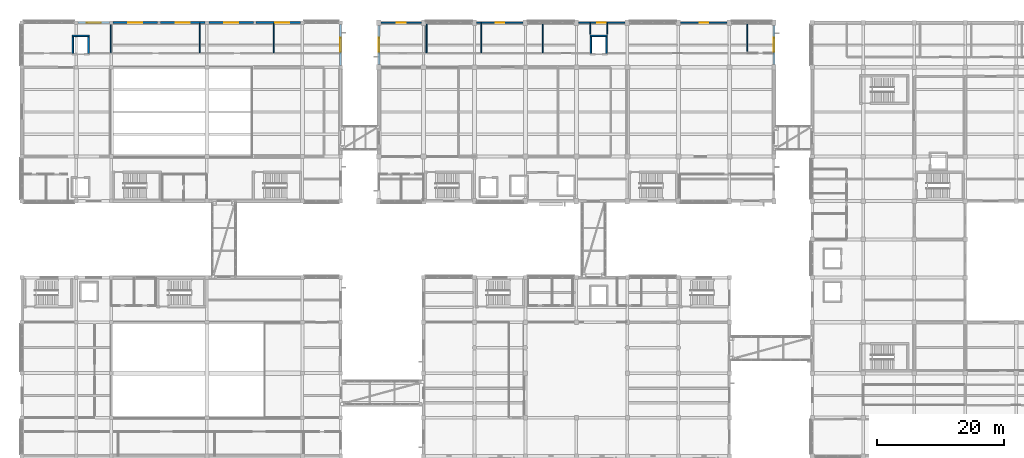
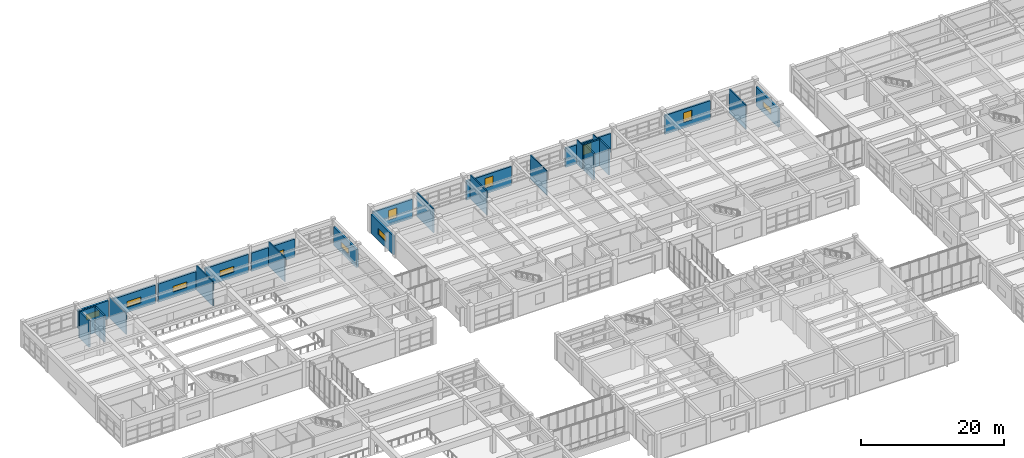
# One storey, part 54 of 72: 27 walls, 12 windows, 12 openings.
"""IFC4 building model written with IfcOpenShell, lengths in metres."""

from ifc_helpers import new_model, si_unit, direction, frame, frame_2d, origin, place, context, subcontext, project, spatial, rectangle, extrude, material, layer, layer_set, type_object, element, fill, save


model = new_model("IFC4")

# Units and contexts
model_context = context("Model", 3, precision=1e-05, world=origin(), true_north=direction((0.0, 1.0)))
body_context = subcontext(model_context, "Body", "Model", "MODEL_VIEW")
ifc_project = project(units=[si_unit("LENGTHUNIT", "METRE"), si_unit("AREAUNIT", "SQUARE_METRE"), si_unit("VOLUMEUNIT", "CUBIC_METRE"), si_unit("PLANEANGLEUNIT", "RADIAN"), si_unit("MASSUNIT", "GRAM", prefix="KILO")], contexts=[model_context])

# Site, building, storey
site_placement = place(None, origin())
site = spatial("IfcSite", under=ifc_project, at=site_placement, CompositionType="ELEMENT")
building_placement = place(site_placement, origin())
building = spatial("IfcBuilding", under=site, at=building_placement, Name="Naurynzar Civic Courthouse", CompositionType="ELEMENT")
storey_placement = place(building_placement, frame((0.0, 0.0, 9.89990234375)))
storey = spatial("IfcBuildingStorey", under=building, at=storey_placement, Name="L03", CompositionType="ELEMENT", Elevation=9.89990234375)

# Wall, opening, window
ifc_material_1 = material(Name="Precast concrete C40/50", Category="concrete")
ifc_layer_1 = layer(ifc_material_1, 0.300048828125)
ifc_layer_set_1 = layer_set([ifc_layer_1], Name="WL-EXT-300")
wall_type_1 = type_object("IfcWallType", Name="WL-EXT-300", PredefinedType="SOLIDWALL", material=ifc_layer_set_1)
wall_1_placement = place(storey_placement, frame((62.0, 65.425048828125, 0.0), z_axis=(0.0, 0.0, 1.0), x_axis=(0.0, 1.0, 0.0)))
wall_1 = element("IfcWall", 1, at=wall_1_placement, inside=storey, type_object=wall_type_1, Name="V2 exterior wall west L03.3.1", PredefinedType="SOLIDWALL", context=body_context, shape_type="SweptSolid", body=[
    extrude(rectangle(XDim=6.14990234375, YDim=0.300048828125, at=frame_2d((3.074951171875, 0.0))), origin(), (0.0, 0.0, 1.0), 3.22998046875),
])
opening_1_placement = place(wall_1_placement, frame((1.9951171875, 0.0, 1.0)))
opening_1 = element("IfcOpeningElement", 2, at=opening_1_placement, cuts=wall_1, Name="Opening WN-18", PredefinedType="OPENING", context=body_context, shape_type="SweptSolid", body=[
    extrude(rectangle(XDim=2.199951171875, YDim=1.0, at=frame_2d((1.10009765625, 0.5))), frame((0.0, 0.159912109375, 0.0), z_axis=(0.0, -1.0, 0.0), x_axis=(1.0, 0.0, 0.0)), (0.0, 0.0, 1.0), 0.320068359375),
])
ifc_material_2 = material(Name="Tempered Laminated Low-E Glass", Category="glass")
window_type_1 = type_object("IfcWindowType", Name="WIN-CLER-2200x1000", PartitioningType="DOUBLE_PANEL_VERTICAL", PredefinedType="WINDOW", material=ifc_material_2)
window_1_placement = place(opening_1_placement, origin())
window_1 = element("IfcWindow", 3, at=window_1_placement, inside=storey, type_object=window_type_1, Name="V2 window 63 L03", OverallHeight=1.0, OverallWidth=2.199951171875, PartitioningType="SINGLE_PANEL", PredefinedType="WINDOW", context=body_context, shape_type="SweptSolid", body=[
    extrude(rectangle(XDim=2.199951171875, YDim=1.0, at=frame_2d((1.10009765625, 0.5))), frame((0.0, 0.030029296875, 0.0), z_axis=(0.0, -1.0, 0.0), x_axis=(1.0, 0.0, 0.0)), (0.0, 0.0, 1.0), 0.06005859375),
])
fill(opening_1, window_1)

wall_2_placement = place(storey_placement, frame((62.35009765625, 72.0, 0.0), z_axis=(0.0, 0.0, 1.0), x_axis=(1.0, 0.0, 0.0)))
wall_2 = element("IfcWall", 4, at=wall_2_placement, inside=storey, type_object=wall_type_1, Name="V2 exterior wall north L03.1.1", PredefinedType="SOLIDWALL", context=body_context, shape_type="SweptSolid", body=[
    extrude(rectangle(XDim=6.2998046875, YDim=0.300048828125, at=frame_2d((3.14990234375, 0.0))), origin(), (0.0, 0.0, 1.0), 3.22998046875),
])
opening_2_placement = place(wall_2_placement, frame((2.47509765625, 0.0, 1.0)))
opening_2 = element("IfcOpeningElement", 5, at=opening_2_placement, cuts=wall_2, Name="Opening WN-07", PredefinedType="OPENING", context=body_context, shape_type="SweptSolid", body=[
    extrude(rectangle(XDim=1.35009765625, YDim=1.64990234375, at=frame_2d((0.675048828125, 0.824951171875))), frame((0.0, 0.159912109375, 0.0), z_axis=(0.0, -1.0, 0.0), x_axis=(1.0, 0.0, 0.0)), (0.0, 0.0, 1.0), 0.320068359375),
])
ifc_material_3 = material(Name="Tempered Laminated Low-E Glass", Category="glass")
window_type_2 = type_object("IfcWindowType", Name="WIN-CHAMB-1350x1650", PartitioningType="SINGLE_PANEL", PredefinedType="WINDOW", material=ifc_material_3)
window_2_placement = place(opening_2_placement, origin())
window_2 = element("IfcWindow", 6, at=window_2_placement, inside=storey, type_object=window_type_2, Name="V2 window 64 L03", OverallHeight=1.64990234375, OverallWidth=1.35009765625, PartitioningType="SINGLE_PANEL", PredefinedType="WINDOW", context=body_context, shape_type="SweptSolid", body=[
    extrude(rectangle(XDim=1.35009765625, YDim=1.64990234375, at=frame_2d((0.675048828125, 0.824951171875))), frame((0.0, 0.030029296875, 0.0), z_axis=(0.0, -1.0, 0.0), x_axis=(1.0, 0.0, 0.0)), (0.0, 0.0, 1.0), 0.06005859375),
])
fill(opening_2, window_2)

wall_3_placement = place(storey_placement, frame((77.35009765625, 72.0, 0.0), z_axis=(0.0, 0.0, 1.0), x_axis=(1.0, 0.0, 0.0)))
wall_3 = element("IfcWall", 7, at=wall_3_placement, inside=storey, type_object=wall_type_1, Name="V2 exterior wall north L03.3.1", PredefinedType="SOLIDWALL", context=body_context, shape_type="SweptSolid", body=[
    extrude(rectangle(XDim=7.2998046875, YDim=0.300048828125, at=frame_2d((3.64990234375, 0.0))), origin(), (0.0, 0.0, 1.0), 3.22998046875),
])
opening_3_placement = place(wall_3_placement, frame((2.97509765625, 0.0, 1.0)))
opening_3 = element("IfcOpeningElement", 8, at=opening_3_placement, cuts=wall_3, Name="Opening WN-07", PredefinedType="OPENING", context=body_context, shape_type="SweptSolid", body=[
    extrude(rectangle(XDim=1.35009765625, YDim=1.64990234375, at=frame_2d((0.675048828125, 0.824951171875))), frame((0.0, 0.159912109375, 0.0), z_axis=(0.0, -1.0, 0.0), x_axis=(1.0, 0.0, 0.0)), (0.0, 0.0, 1.0), 0.320068359375),
])
window_3_placement = place(opening_3_placement, origin())
window_3 = element("IfcWindow", 9, at=window_3_placement, inside=storey, type_object=window_type_2, Name="V2 window 65 L03", OverallHeight=1.64990234375, OverallWidth=1.35009765625, PartitioningType="SINGLE_PANEL", PredefinedType="WINDOW", context=body_context, shape_type="SweptSolid", body=[
    extrude(rectangle(XDim=1.35009765625, YDim=1.64990234375, at=frame_2d((0.675048828125, 0.824951171875))), frame((0.0, 0.030029296875, 0.0), z_axis=(0.0, -1.0, 0.0), x_axis=(1.0, 0.0, 0.0)), (0.0, 0.0, 1.0), 0.06005859375),
])
fill(opening_3, window_3)

wall_4_placement = place(storey_placement, frame((93.35009765625, 72.0, 0.0), z_axis=(0.0, 0.0, 1.0), x_axis=(1.0, 0.0, 0.0)))
wall_4 = element("IfcWall", 10, at=wall_4_placement, inside=storey, type_object=wall_type_1, Name="V2 exterior wall north L03.5.1", PredefinedType="SOLIDWALL", context=body_context, shape_type="SweptSolid", body=[
    extrude(rectangle(XDim=7.2998046875, YDim=0.300048828125, at=frame_2d((3.64990234375, 0.0))), origin(), (0.0, 0.0, 1.0), 3.22998046875),
])
opening_4_placement = place(wall_4_placement, frame((2.8798828125, 0.0, 1.0)))
opening_4 = element("IfcOpeningElement", 11, at=opening_4_placement, cuts=wall_4, Name="Opening WN-07", PredefinedType="OPENING", context=body_context, shape_type="SweptSolid", body=[
    extrude(rectangle(XDim=1.35009765625, YDim=1.64990234375, at=frame_2d((0.675048828125, 0.824951171875))), frame((0.0, 0.159912109375, 0.0), z_axis=(0.0, -1.0, 0.0), x_axis=(1.0, 0.0, 0.0)), (0.0, 0.0, 1.0), 0.320068359375),
])
window_4_placement = place(opening_4_placement, origin())
window_4 = element("IfcWindow", 12, at=window_4_placement, inside=storey, type_object=window_type_2, Name="V2 window 66 L03", OverallHeight=1.64990234375, OverallWidth=1.35009765625, PartitioningType="SINGLE_PANEL", PredefinedType="WINDOW", context=body_context, shape_type="SweptSolid", body=[
    extrude(rectangle(XDim=1.35009765625, YDim=1.64990234375, at=frame_2d((0.675048828125, 0.824951171875))), frame((0.0, 0.030029296875, 0.0), z_axis=(0.0, -1.0, 0.0), x_axis=(1.0, 0.0, 0.0)), (0.0, 0.0, 1.0), 0.06005859375),
])
fill(opening_4, window_4)

wall_5_placement = place(storey_placement, frame((109.35009765625, 72.0, 0.0), z_axis=(0.0, 0.0, 1.0), x_axis=(1.0, 0.0, 0.0)))
wall_5 = element("IfcWall", 13, at=wall_5_placement, inside=storey, type_object=wall_type_1, Name="V2 exterior wall north L03.7.1", PredefinedType="SOLIDWALL", context=body_context, shape_type="SweptSolid", body=[
    extrude(rectangle(XDim=7.2998046875, YDim=0.300048828125, at=frame_2d((3.64990234375, 0.0))), origin(), (0.0, 0.0, 1.0), 3.22998046875),
])
opening_5_placement = place(wall_5_placement, frame((2.97509765625, 0.0, 1.0)))
opening_5 = element("IfcOpeningElement", 14, at=opening_5_placement, cuts=wall_5, Name="Opening WN-07", PredefinedType="OPENING", context=body_context, shape_type="SweptSolid", body=[
    extrude(rectangle(XDim=1.35009765625, YDim=1.64990234375, at=frame_2d((0.675048828125, 0.824951171875))), frame((0.0, 0.159912109375, 0.0), z_axis=(0.0, -1.0, 0.0), x_axis=(1.0, 0.0, 0.0)), (0.0, 0.0, 1.0), 0.320068359375),
])
window_5_placement = place(opening_5_placement, origin())
window_5 = element("IfcWindow", 15, at=window_5_placement, inside=storey, type_object=window_type_2, Name="V2 window 67 L03", OverallHeight=1.64990234375, OverallWidth=1.35009765625, PartitioningType="SINGLE_PANEL", PredefinedType="WINDOW", context=body_context, shape_type="SweptSolid", body=[
    extrude(rectangle(XDim=1.35009765625, YDim=1.64990234375, at=frame_2d((0.675048828125, 0.824951171875))), frame((0.0, 0.030029296875, 0.0), z_axis=(0.0, -1.0, 0.0), x_axis=(1.0, 0.0, 0.0)), (0.0, 0.0, 1.0), 0.06005859375),
])
fill(opening_5, window_5)

wall_6_placement = place(storey_placement, frame((124.0, 71.574951171875, 0.0), z_axis=(0.0, 0.0, 1.0), x_axis=(0.0, -1.0, 0.0)))
wall_6 = element("IfcWall", 16, at=wall_6_placement, inside=storey, type_object=wall_type_1, Name="V2 exterior wall east L03.1.1", PredefinedType="SOLIDWALL", context=body_context, shape_type="SweptSolid", body=[
    extrude(rectangle(XDim=6.14990234375, YDim=0.300048828125, at=frame_2d((3.074951171875, 0.0))), origin(), (0.0, 0.0, 1.0), 3.22998046875),
])
opening_6_placement = place(wall_6_placement, frame((1.955078125, 0.0, 1.0)))
opening_6 = element("IfcOpeningElement", 17, at=opening_6_placement, cuts=wall_6, Name="Opening WN-18", PredefinedType="OPENING", context=body_context, shape_type="SweptSolid", body=[
    extrude(rectangle(XDim=2.199951171875, YDim=1.0, at=frame_2d((1.10009765625, 0.5))), frame((0.0, 0.159912109375, 0.0), z_axis=(0.0, -1.0, 0.0), x_axis=(1.0, 0.0, 0.0)), (0.0, 0.0, 1.0), 0.320068359375),
])
window_6_placement = place(opening_6_placement, origin())
window_6 = element("IfcWindow", 18, at=window_6_placement, inside=storey, type_object=window_type_1, Name="V2 window 68 L03", OverallHeight=1.0, OverallWidth=2.199951171875, PartitioningType="SINGLE_PANEL", PredefinedType="WINDOW", context=body_context, shape_type="SweptSolid", body=[
    extrude(rectangle(XDim=2.199951171875, YDim=1.0, at=frame_2d((1.10009765625, 0.5))), frame((0.0, 0.030029296875, 0.0), z_axis=(0.0, -1.0, 0.0), x_axis=(1.0, 0.0, 0.0)), (0.0, 0.0, 1.0), 0.06005859375),
])
fill(opening_6, window_6)

ifc_material_4 = material(Name="Precast concrete C40/50", Category="concrete")
ifc_layer_2 = layer(ifc_material_4, 0.320068359375)
ifc_layer_set_2 = layer_set([ifc_layer_2], Name="WL-EXT-320")
wall_type_2 = type_object("IfcWallType", Name="WL-EXT-320", PredefinedType="SOLIDWALL", material=ifc_layer_set_2)
wall_7_placement = place(storey_placement, frame((14.800048828125, 72.0, 0.0), z_axis=(0.0, 0.0, 1.0), x_axis=(1.0, 0.0, 0.0)))
wall_7 = element("IfcWall", 19, at=wall_7_placement, inside=storey, type_object=wall_type_2, Name="V1 exterior wall north L03.2.1", PredefinedType="SOLIDWALL", context=body_context, shape_type="SweptSolid", body=[
    extrude(rectangle(XDim=4.89990234375, YDim=0.320068359375, at=frame_2d((2.449951171875, 0.0))), origin(), (0.0, 0.0, 1.0), 3.110107421875),
])
opening_7_placement = place(wall_7_placement, frame((1.35009765625, 0.0, 0.89990234375)))
opening_7 = element("IfcOpeningElement", 20, at=opening_7_placement, cuts=wall_7, Name="Opening WN-18", PredefinedType="OPENING", context=body_context, shape_type="SweptSolid", body=[
    extrude(rectangle(XDim=2.199951171875, YDim=1.0, at=frame_2d((1.10009765625, 0.5))), frame((0.0, 0.169921875, 0.0), z_axis=(0.0, -1.0, 0.0), x_axis=(1.0, 0.0, 0.0)), (0.0, 0.0, 1.0), 0.340087890625),
])
window_7_placement = place(opening_7_placement, origin())
window_7 = element("IfcWindow", 21, at=window_7_placement, inside=storey, type_object=window_type_1, Name="V1 window 22 L03", OverallHeight=1.0, OverallWidth=2.199951171875, PartitioningType="SINGLE_PANEL", PredefinedType="WINDOW", context=body_context, shape_type="SweptSolid", body=[
    extrude(rectangle(XDim=2.199951171875, YDim=1.0, at=frame_2d((1.10009765625, 0.5))), frame((0.0, 0.030029296875, 0.0), z_axis=(0.0, -1.0, 0.0), x_axis=(1.0, 0.0, 0.0)), (0.0, 0.0, 1.0), 0.06005859375),
])
fill(opening_7, window_7)

wall_8_placement = place(storey_placement, frame((20.300048828125, 72.0, 0.0), z_axis=(0.0, 0.0, 1.0), x_axis=(1.0, 0.0, 0.0)))
wall_8 = element("IfcWall", 22, at=wall_8_placement, inside=storey, type_object=wall_type_2, Name="V1 exterior wall north L03.3.1", PredefinedType="SOLIDWALL", context=body_context, shape_type="SweptSolid", body=[
    extrude(rectangle(XDim=6.97998046875, YDim=0.320068359375, at=frame_2d((3.489990234375, 0.0))), origin(), (0.0, 0.0, 1.0), 3.110107421875),
])
opening_8_placement = place(wall_8_placement, frame((2.389892578125, 0.0, 0.89990234375)))
opening_8 = element("IfcOpeningElement", 23, at=opening_8_placement, cuts=wall_8, Name="Opening WN-18", PredefinedType="OPENING", context=body_context, shape_type="SweptSolid", body=[
    extrude(rectangle(XDim=2.199951171875, YDim=1.0, at=frame_2d((1.10009765625, 0.5))), frame((0.0, 0.169921875, 0.0), z_axis=(0.0, -1.0, 0.0), x_axis=(1.0, 0.0, 0.0)), (0.0, 0.0, 1.0), 0.340087890625),
])
window_8_placement = place(opening_8_placement, origin())
window_8 = element("IfcWindow", 24, at=window_8_placement, inside=storey, type_object=window_type_1, Name="V1 window 23 L03", OverallHeight=1.0, OverallWidth=2.199951171875, PartitioningType="SINGLE_PANEL", PredefinedType="WINDOW", context=body_context, shape_type="SweptSolid", body=[
    extrude(rectangle(XDim=2.199951171875, YDim=1.0, at=frame_2d((1.10009765625, 0.5))), frame((0.0, 0.030029296875, 0.0), z_axis=(0.0, -1.0, 0.0), x_axis=(1.0, 0.0, 0.0)), (0.0, 0.0, 1.0), 0.06005859375),
])
fill(opening_8, window_8)

wall_9_placement = place(storey_placement, frame((27.719970703125, 72.0, 0.0), z_axis=(0.0, 0.0, 1.0), x_axis=(1.0, 0.0, 0.0)))
wall_9 = element("IfcWall", 25, at=wall_9_placement, inside=storey, type_object=wall_type_2, Name="V1 exterior wall north L03.3.2", PredefinedType="SOLIDWALL", context=body_context, shape_type="SweptSolid", body=[
    extrude(rectangle(XDim=6.97998046875, YDim=0.320068359375, at=frame_2d((3.489990234375, 0.0))), origin(), (0.0, 0.0, 1.0), 3.110107421875),
])
opening_9_placement = place(wall_9_placement, frame((2.389892578125, 0.0, 0.89990234375)))
opening_9 = element("IfcOpeningElement", 26, at=opening_9_placement, cuts=wall_9, Name="Opening WN-18", PredefinedType="OPENING", context=body_context, shape_type="SweptSolid", body=[
    extrude(rectangle(XDim=2.199951171875, YDim=1.0, at=frame_2d((1.10009765625, 0.5))), frame((0.0, 0.169921875, 0.0), z_axis=(0.0, -1.0, 0.0), x_axis=(1.0, 0.0, 0.0)), (0.0, 0.0, 1.0), 0.340087890625),
])
window_9_placement = place(opening_9_placement, origin())
window_9 = element("IfcWindow", 27, at=window_9_placement, inside=storey, type_object=window_type_1, Name="V1 window 24 L03", OverallHeight=1.0, OverallWidth=2.199951171875, PartitioningType="SINGLE_PANEL", PredefinedType="WINDOW", context=body_context, shape_type="SweptSolid", body=[
    extrude(rectangle(XDim=2.199951171875, YDim=1.0, at=frame_2d((1.10009765625, 0.5))), frame((0.0, 0.030029296875, 0.0), z_axis=(0.0, -1.0, 0.0), x_axis=(1.0, 0.0, 0.0)), (0.0, 0.0, 1.0), 0.06005859375),
])
fill(opening_9, window_9)

wall_10_placement = place(storey_placement, frame((35.300048828125, 72.0, 0.0), z_axis=(0.0, 0.0, 1.0), x_axis=(1.0, 0.0, 0.0)))
wall_10 = element("IfcWall", 28, at=wall_10_placement, inside=storey, type_object=wall_type_2, Name="V1 exterior wall north L03.4.1", PredefinedType="SOLIDWALL", context=body_context, shape_type="SweptSolid", body=[
    extrude(rectangle(XDim=6.97998046875, YDim=0.320068359375, at=frame_2d((3.489990234375, 0.0))), origin(), (0.0, 0.0, 1.0), 3.110107421875),
])
opening_10_placement = place(wall_10_placement, frame((2.389892578125, 0.0, 0.89990234375)))
opening_10 = element("IfcOpeningElement", 29, at=opening_10_placement, cuts=wall_10, Name="Opening WN-18", PredefinedType="OPENING", context=body_context, shape_type="SweptSolid", body=[
    extrude(rectangle(XDim=2.199951171875, YDim=1.0, at=frame_2d((1.10009765625, 0.5))), frame((0.0, 0.169921875, 0.0), z_axis=(0.0, -1.0, 0.0), x_axis=(1.0, 0.0, 0.0)), (0.0, 0.0, 1.0), 0.340087890625),
])
window_10_placement = place(opening_10_placement, origin())
window_10 = element("IfcWindow", 30, at=window_10_placement, inside=storey, type_object=window_type_1, Name="V1 window 25 L03", OverallHeight=1.0, OverallWidth=2.199951171875, PartitioningType="SINGLE_PANEL", PredefinedType="WINDOW", context=body_context, shape_type="SweptSolid", body=[
    extrude(rectangle(XDim=2.199951171875, YDim=1.0, at=frame_2d((1.10009765625, 0.5))), frame((0.0, 0.030029296875, 0.0), z_axis=(0.0, -1.0, 0.0), x_axis=(1.0, 0.0, 0.0)), (0.0, 0.0, 1.0), 0.06005859375),
])
fill(opening_10, window_10)

wall_11_placement = place(storey_placement, frame((42.719970703125, 72.0, 0.0), z_axis=(0.0, 0.0, 1.0), x_axis=(1.0, 0.0, 0.0)))
wall_11 = element("IfcWall", 31, at=wall_11_placement, inside=storey, type_object=wall_type_2, Name="V1 exterior wall north L03.4.2", PredefinedType="SOLIDWALL", context=body_context, shape_type="SweptSolid", body=[
    extrude(rectangle(XDim=6.97998046875, YDim=0.320068359375, at=frame_2d((3.489990234375, 0.0))), origin(), (0.0, 0.0, 1.0), 3.110107421875),
])
opening_11_placement = place(wall_11_placement, frame((3.030029296875, 0.0, 0.89990234375)))
opening_11 = element("IfcOpeningElement", 32, at=opening_11_placement, cuts=wall_11, Name="Opening WN-18", PredefinedType="OPENING", context=body_context, shape_type="SweptSolid", body=[
    extrude(rectangle(XDim=2.199951171875, YDim=1.0, at=frame_2d((1.10009765625, 0.5))), frame((0.0, 0.169921875, 0.0), z_axis=(0.0, -1.0, 0.0), x_axis=(1.0, 0.0, 0.0)), (0.0, 0.0, 1.0), 0.340087890625),
])
window_11_placement = place(opening_11_placement, origin())
window_11 = element("IfcWindow", 33, at=window_11_placement, inside=storey, type_object=window_type_1, Name="V1 window 26 L03", OverallHeight=1.0, OverallWidth=2.199951171875, PartitioningType="SINGLE_PANEL", PredefinedType="WINDOW", context=body_context, shape_type="SweptSolid", body=[
    extrude(rectangle(XDim=2.199951171875, YDim=1.0, at=frame_2d((1.10009765625, 0.5))), frame((0.0, 0.030029296875, 0.0), z_axis=(0.0, -1.0, 0.0), x_axis=(1.0, 0.0, 0.0)), (0.0, 0.0, 1.0), 0.06005859375),
])
fill(opening_11, window_11)

wall_12_placement = place(storey_placement, frame((56.0, 71.699951171875, 0.0), z_axis=(0.0, 0.0, 1.0), x_axis=(0.0, -1.0, 0.0)))
wall_12 = element("IfcWall", 34, at=wall_12_placement, inside=storey, type_object=wall_type_2, Name="V1 exterior wall east L03.1.1", PredefinedType="SOLIDWALL", context=body_context, shape_type="SweptSolid", body=[
    extrude(rectangle(XDim=6.39990234375, YDim=0.320068359375, at=frame_2d((3.199951171875, 0.0))), origin(), (0.0, 0.0, 1.0), 3.110107421875),
])
opening_12_placement = place(wall_12_placement, frame((2.080078125, 0.0, 0.89990234375)))
opening_12 = element("IfcOpeningElement", 35, at=opening_12_placement, cuts=wall_12, Name="Opening WN-18", PredefinedType="OPENING", context=body_context, shape_type="SweptSolid", body=[
    extrude(rectangle(XDim=2.199951171875, YDim=1.0, at=frame_2d((1.10009765625, 0.5))), frame((0.0, 0.169921875, 0.0), z_axis=(0.0, -1.0, 0.0), x_axis=(1.0, 0.0, 0.0)), (0.0, 0.0, 1.0), 0.340087890625),
])
window_12_placement = place(opening_12_placement, origin())
window_12 = element("IfcWindow", 36, at=window_12_placement, inside=storey, type_object=window_type_1, Name="V1 window 27 L03", OverallHeight=1.0, OverallWidth=2.199951171875, PartitioningType="SINGLE_PANEL", PredefinedType="WINDOW", context=body_context, shape_type="SweptSolid", body=[
    extrude(rectangle(XDim=2.199951171875, YDim=1.0, at=frame_2d((1.10009765625, 0.5))), frame((0.0, 0.030029296875, 0.0), z_axis=(0.0, -1.0, 0.0), x_axis=(1.0, 0.0, 0.0)), (0.0, 0.0, 1.0), 0.06005859375),
])
fill(opening_12, window_12)

# Walls
ifc_material_5 = material(Name="Insulated Metal-Stud Gypsum Partition")
ifc_layer_3 = layer(ifc_material_5, 0.159912109375)
ifc_layer_set_3 = layer_set([ifc_layer_3], Name="WL-PART-CHAMB-160")
wall_type_3 = type_object("IfcWallType", Name="WL-PART-CHAMB-160", PredefinedType="PARTITIONING", material=ifc_layer_set_3)
wall_13_placement = place(storey_placement, frame((19.949951171875, 67.280029296875, 0.0), z_axis=(0.0, 0.0, 1.0), x_axis=(0.0, 1.0, 0.0)))
element("IfcWall", 37, at=wall_13_placement, inside=storey, type_object=wall_type_3, Name="V1 interior partition L03.386", PredefinedType="PARTITIONING", context=body_context, shape_type="SweptSolid", body=[
    extrude(rectangle(XDim=4.639892578125, YDim=0.159912109375, at=frame_2d((2.31982421875, 0.0))), origin(), (0.0, 0.0, 1.0), 3.580078125),
])
for number, where, z_axis, x_axis, name in (
    (38, (33.909912109375, 67.280029296875, 0.0), (0.0, 0.0, 1.0), (0.0, 1.0, 0.0), "V1 interior partition L03.393"),
    (39, (45.530029296875, 67.280029296875, 0.0), (0.0, 0.0, 1.0), (0.0, 1.0, 0.0), "V1 interior partition L03.396"),
    (40, (78.0400390625, 67.280029296875, 0.0), (0.0, 0.0, 1.0), (0.0, 1.0, 0.0), "V2 interior partition L03.403"),
    (41, (87.739990234375, 67.280029296875, 0.0), (0.0, 0.0, 1.0), (0.0, 1.0, 0.0), "V2 interior partition L03.407"),
):
    element("IfcWall", number, at=place(storey_placement, frame(where, z_axis=z_axis, x_axis=x_axis)), inside=storey, type_object=wall_type_3, Name=name, PredefinedType="PARTITIONING", context=body_context, shape_type="SweptSolid", body=[
        extrude(rectangle(XDim=4.639892578125, YDim=0.159912109375, at=frame_2d((2.31982421875, 0.0))), origin(), (0.0, 0.0, 1.0), 4.14013671875),
    ])
for number, where, z_axis, x_axis, name in (
    (42, (95.199951171875, 70.199951171875, 0.0), (0.0, 0.0, 1.0), (0.0, 1.0, 0.0), "V2 interior partition L03.411"),
    (43, (97.800048828125, 70.199951171875, 0.0), (0.0, 0.0, 1.0), (0.0, 1.0, 0.0), "V2 interior partition L03.412"),
):
    element("IfcWall", number, at=place(storey_placement, frame(where, z_axis=z_axis, x_axis=x_axis)), inside=storey, type_object=wall_type_3, Name=name, PredefinedType="PARTITIONING", context=body_context, shape_type="SweptSolid", body=[
        extrude(rectangle(XDim=1.719970703125, YDim=0.159912109375, at=frame_2d((0.85986328125, 0.0))), origin(), (0.0, 0.0, 1.0), 4.14013671875),
    ])
wall_14_placement = place(storey_placement, frame((119.800048828125, 67.280029296875, 0.0), z_axis=(0.0, 0.0, 1.0), x_axis=(0.0, 1.0, 0.0)))
element("IfcWall", 44, at=wall_14_placement, inside=storey, type_object=wall_type_3, Name="V2 interior partition L03.420", PredefinedType="PARTITIONING", context=body_context, shape_type="SweptSolid", body=[
    extrude(rectangle(XDim=4.639892578125, YDim=0.159912109375, at=frame_2d((2.31982421875, 0.0))), origin(), (0.0, 0.0, 1.0), 4.14013671875),
])
ifc_material_6 = material(Name="Acoustic Double-Stud Gypsum Partition")
ifc_layer_4 = layer(ifc_material_6, 0.179931640625)
ifc_layer_set_4 = layer_set([ifc_layer_4], Name="WL-PART-JURY-180")
wall_type_4 = type_object("IfcWallType", Name="WL-PART-JURY-180", PredefinedType="PARTITIONING", material=ifc_layer_set_4)
wall_15_placement = place(storey_placement, frame((69.4599609375, 67.280029296875, 0.0), z_axis=(0.0, 0.0, 1.0), x_axis=(0.0, 1.0, 0.0)))
element("IfcWall", 45, at=wall_15_placement, inside=storey, type_object=wall_type_4, Name="V2 interior partition L03.401", PredefinedType="PARTITIONING", context=body_context, shape_type="SweptSolid", body=[
    extrude(rectangle(XDim=4.639892578125, YDim=0.179931640625, at=frame_2d((2.31982421875, 0.0))), origin(), (0.0, 0.0, 1.0), 4.14013671875),
])
ifc_material_7 = material(Name="Concrete C40/50", Category="concrete")
ifc_layer_5 = layer(ifc_material_7, 0.25)
ifc_layer_set_5 = layer_set([ifc_layer_5], Name="WL-SHAFT-250")
wall_type_5 = type_object("IfcWallType", Name="WL-SHAFT-250", PredefinedType="SHEAR", material=ifc_layer_set_5)
wall_16_placement = place(storey_placement, frame((16.550048828125, 69.925048828125, 0.0), z_axis=(0.0, 0.0, 1.0), x_axis=(-1.0, 0.0, 0.0)))
element("IfcWall", 46, at=wall_16_placement, inside=storey, type_object=wall_type_5, Name="Lift LJ-01 shaft wall north L03", PredefinedType="SHEAR", context=body_context, shape_type="SweptSolid", body=[
    extrude(rectangle(XDim=2.699951171875, YDim=0.25, at=frame_2d((1.35009765625, 0.0))), origin(), (0.0, 0.0, 1.0), 4.5),
])
for number, where, z_axis, x_axis, name in (
    (47, (13.97509765625, 69.794921875, 0.0), (0.0, 0.0, 1.0), (0.0, -1.0, 0.0), "Lift LJ-01 shaft wall west L03"),
    (48, (16.425048828125, 67.205078125, 0.0), (0.0, 0.0, 1.0), (0.0, 1.0, 0.0), "Lift LJ-01 shaft wall east L03"),
):
    element("IfcWall", number, at=place(storey_placement, frame(where, z_axis=z_axis, x_axis=x_axis)), inside=storey, type_object=wall_type_5, Name=name, PredefinedType="SHEAR", context=body_context, shape_type="SweptSolid", body=[
        extrude(rectangle(XDim=2.58984375, YDim=0.25, at=frame_2d((1.294921875, 0.0))), origin(), (0.0, 0.0, 1.0), 4.5),
    ])
wall_17_placement = place(storey_placement, frame((97.85009765625, 69.925048828125, 0.0), z_axis=(0.0, 0.0, 1.0), x_axis=(-1.0, 0.0, 0.0)))
element("IfcWall", 49, at=wall_17_placement, inside=storey, type_object=wall_type_5, Name="Lift LJ-02 shaft wall north L03", PredefinedType="SHEAR", context=body_context, shape_type="SweptSolid", body=[
    extrude(rectangle(XDim=2.7001953125, YDim=0.25, at=frame_2d((1.35009765625, 0.0))), origin(), (0.0, 0.0, 1.0), 4.5),
])
for number, where, z_axis, x_axis, name in (
    (50, (95.27490234375, 69.794921875, 0.0), (0.0, 0.0, 1.0), (0.0, -1.0, 0.0), "Lift LJ-02 shaft wall west L03"),
    (51, (97.72509765625, 67.205078125, 0.0), (0.0, 0.0, 1.0), (0.0, 1.0, 0.0), "Lift LJ-02 shaft wall east L03"),
):
    element("IfcWall", number, at=place(storey_placement, frame(where, z_axis=z_axis, x_axis=x_axis)), inside=storey, type_object=wall_type_5, Name=name, PredefinedType="SHEAR", context=body_context, shape_type="SweptSolid", body=[
        extrude(rectangle(XDim=2.58984375, YDim=0.25, at=frame_2d((1.294921875, 0.0))), origin(), (0.0, 0.0, 1.0), 4.5),
    ])

save(model, "model.ifc")
